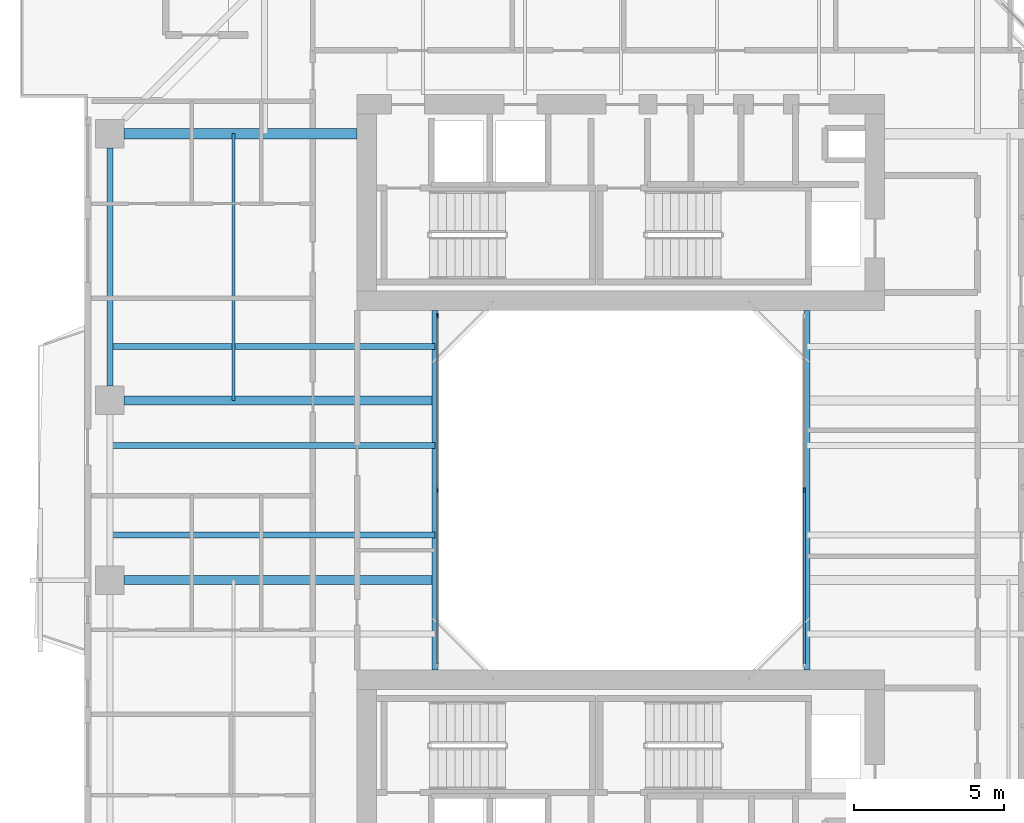
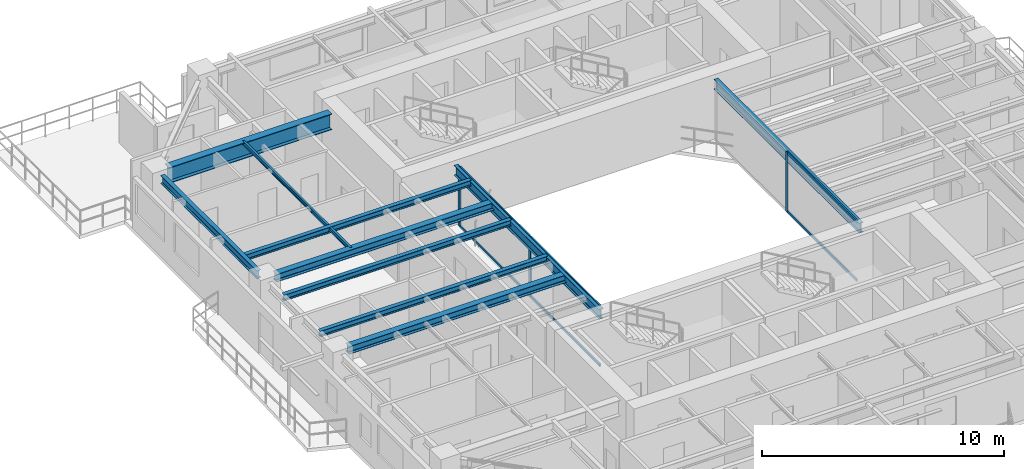
# One storey, part 5 of 18: 10 beams, 9 members, 2 elements without a shape of their own.
"""IFC4 building model written with IfcOpenShell, lengths in metres."""

from ifc_helpers import new_model, si_unit, direction, frame, origin, origin_2d, place, context, subcontext, project, spatial, rectangle, i_section, extrude, source, transform, mapped, material, layer, layer_set, material_profile, profile_set, type_object, element, aggregate, save


model = new_model("IFC4")

# Units and contexts
model_context = context("Model", 3, precision=1e-05, world=origin(), true_north=direction((0.0, 1.0)))
body_context = subcontext(model_context, "Body", "Model", "MODEL_VIEW")
ifc_project = project(units=[si_unit("LENGTHUNIT", "METRE"), si_unit("AREAUNIT", "SQUARE_METRE"), si_unit("VOLUMEUNIT", "CUBIC_METRE"), si_unit("PLANEANGLEUNIT", "RADIAN"), si_unit("MASSUNIT", "GRAM", prefix="KILO"), si_unit("THERMODYNAMICTEMPERATUREUNIT", "KELVIN"), si_unit("POWERUNIT", "WATT")], contexts=[model_context])

# Site, building, storey
site_placement = place(None, origin())
site = spatial("IfcSite", under=ifc_project, at=site_placement, CompositionType="ELEMENT")
building_placement = place(site_placement, origin())
building = spatial("IfcBuilding", under=site, at=building_placement, Name="Qiaomeng Ring Towers", CompositionType="ELEMENT")
storey_placement = place(building_placement, frame((0.0, 0.0, 182.75)))
storey = spatial("IfcBuildingStorey", under=building, at=storey_placement, Name="L53", CompositionType="ELEMENT", Elevation=182.75)

# Beams
ifc_material_1 = material(Name="Steel Q355B", Category="steel")
ifc_material_profile_1 = material_profile(ifc_material_1, i_section(OverallWidth=0.199951171875, OverallDepth=0.5, WebThickness=0.010009765625, FlangeThickness=0.01611328125, FilletRadius=0.02001953125, at=origin_2d()), Name="HN 500x200x10x16")
ifc_profile_set_1 = profile_set([ifc_material_profile_1], Name="Steel Q355B")
beam_type_1 = type_object("IfcBeamType", Name="STR-BM-HN500", PredefinedType="BEAM", material=ifc_profile_set_1)
shared_shape_1 = source(origin(), body_context, "Body", "SweptSolid", [
    extrude(i_section(OverallWidth=0.199951171875, OverallDepth=0.5, WebThickness=0.010009765625, FlangeThickness=0.01611328125, FilletRadius=0.02001953125, at=origin_2d()), origin(), (0.0, 0.0, 1.0), 12.0),
])
for number, where, z_axis, x_axis, name in (
    (1, (12.800048828125, 17.0, 2.780029296875), (0.0, 1.0, 0.0), (-1.0, 0.0, 0.0), "L53 beam STR-BM-L53-WELL-W"),
    (2, (25.199951171875, 17.0, 2.780029296875), (0.0, 1.0, 0.0), (-1.0, 0.0, 0.0), "L53 beam STR-BM-L53-WELL-E"),
):
    element("IfcBeam", number, at=place(storey_placement, frame(where, z_axis=z_axis, x_axis=x_axis)), inside=storey, type_object=beam_type_1, Name=name, PredefinedType="BEAM", context=body_context, shape_type="MappedRepresentation", body=[
        mapped(shared_shape_1, transform((0.0, 0.0, 0.0), x_axis=(1.0, 0.0, 0.0), y_axis=(0.0, 1.0, 0.0), z_axis=(0.0, 0.0, 1.0), scale=1.0)),
    ])
ifc_material_profile_2 = material_profile(ifc_material_1, i_section(OverallWidth=0.199951171875, OverallDepth=0.2939453125, WebThickness=0.008056640625, FlangeThickness=0.011962890625, FilletRadius=0.01806640625, at=origin_2d()), Name="HM 294x200x8x12")
ifc_profile_set_2 = profile_set([ifc_material_profile_2], Name="Steel Q355B")
beam_type_2 = type_object("IfcBeamType", Name="STR-BM-HM294", PredefinedType="JOIST", material=ifc_profile_set_2)
shared_shape_2 = source(origin(), body_context, "Body", "SweptSolid", [
    extrude(i_section(OverallWidth=0.199951171875, OverallDepth=0.2939453125, WebThickness=0.008056640625, FlangeThickness=0.011962890625, FilletRadius=0.01806640625, at=origin_2d()), origin(), (0.0, 0.0, 1.0), 10.85009765625),
])
for number, where, z_axis, x_axis, name in (
    (3, (1.949951171875, 21.5, 2.883056640625), (1.0, 0.0, 0.0), (0.0, 1.0, 0.0), "L53 beam STR-JST-L53-T1W-2"),
    (4, (1.949951171875, 24.5, 2.883056640625), (1.0, 0.0, 0.0), (0.0, 1.0, 0.0), "L53 beam STR-JST-L53-T1W-3"),
    (5, (1.949951171875, 27.800048828125, 2.883056640625), (1.0, 0.0, 0.0), (0.0, 1.0, 0.0), "L53 beam STR-JST-L53-T1W-4"),
):
    element("IfcBeam", number, at=place(storey_placement, frame(where, z_axis=z_axis, x_axis=x_axis)), inside=storey, type_object=beam_type_2, Name=name, PredefinedType="JOIST", context=body_context, shape_type="MappedRepresentation", body=[
        mapped(shared_shape_2, transform((0.0, 0.0, 0.0), x_axis=(1.0, 0.0, 0.0), y_axis=(0.0, 1.0, 0.0), z_axis=(0.0, 0.0, 1.0), scale=1.0)),
    ])
ifc_material_profile_3 = material_profile(ifc_material_1, i_section(OverallWidth=0.10009765625, OverallDepth=0.199951171875, WebThickness=0.005615234375, FlangeThickness=0.008056640625, FilletRadius=0.010986328125, at=origin_2d()), Name="HN 200x100x5.5x8")
ifc_profile_set_3 = profile_set([ifc_material_profile_3], Name="Steel Q355B")
beam_type_3 = type_object("IfcBeamType", Name="STR-BM-HN200", PredefinedType="JOIST", material=ifc_profile_set_3)
shared_shape_3 = source(origin(), body_context, "Body", "SweptSolid", [
    extrude(i_section(OverallWidth=0.10009765625, OverallDepth=0.199951171875, WebThickness=0.005615234375, FlangeThickness=0.008056640625, FilletRadius=0.010986328125, at=origin_2d()), origin(), (0.0, 0.0, 1.0), 8.89990234375),
])
beam_1_placement = place(storey_placement, frame((6.074951171875, 26.0, 2.929931640625), z_axis=(0.0, 1.0, 0.0), x_axis=(-1.0, 0.0, 0.0)))
element("IfcBeam", 6, at=beam_1_placement, inside=storey, type_object=beam_type_3, Name="L53 beam STR-JST-L53-T1C-WN", PredefinedType="JOIST", context=body_context, shape_type="MappedRepresentation", body=[
    mapped(shared_shape_3, transform((0.0, 0.0, 0.0), x_axis=(1.0, 0.0, 0.0), y_axis=(0.0, 1.0, 0.0), z_axis=(0.0, 0.0, 1.0), scale=1.0)),
])
ifc_material_profile_4 = material_profile(ifc_material_1, i_section(OverallWidth=0.199951171875, OverallDepth=0.39990234375, WebThickness=0.008056640625, FlangeThickness=0.012939453125, FilletRadius=0.01611328125, at=origin_2d()), Name="HN 400x200x8x13")
ifc_profile_set_4 = profile_set([ifc_material_profile_4], Name="Steel Q355B")
beam_type_4 = type_object("IfcBeamType", Name="STR-BM-HN400", PredefinedType="SPANDREL", material=ifc_profile_set_4)
shared_shape_4 = source(origin(), body_context, "Body", "SweptSolid", [
    extrude(i_section(OverallWidth=0.199951171875, OverallDepth=0.39990234375, WebThickness=0.008056640625, FlangeThickness=0.012939453125, FilletRadius=0.01611328125, at=origin_2d()), origin(), (0.0, 0.0, 1.0), 7.951904296875),
])
beam_2_placement = place(storey_placement, frame((1.949951171875, 34.426025390625, 2.830078125), z_axis=(0.0, -1.0, 0.0), x_axis=(1.0, 0.0, 0.0)))
element("IfcBeam", 7, at=beam_2_placement, inside=storey, type_object=beam_type_4, Name="L53 beam STR-SP-L53-T1-W4-W3", PredefinedType="SPANDREL", context=body_context, shape_type="MappedRepresentation", body=[
    mapped(shared_shape_4, transform((0.0, 0.0, 0.0), x_axis=(1.0, 0.0, 0.0), y_axis=(0.0, 1.0, 0.0), z_axis=(0.0, 0.0, 1.0), scale=1.0)),
])
ifc_material_2 = material(Name="Steel Q390GJC", Category="steel")
ifc_material_profile_5 = material_profile(ifc_material_2, i_section(OverallWidth=0.35009765625, OverallDepth=0.800048828125, WebThickness=0.01611328125, FlangeThickness=0.028076171875, at=origin_2d()), Name="WH 800x350x16x28")
ifc_profile_set_5 = profile_set([ifc_material_profile_5], Name="Steel Q390GJC")
beam_type_5 = type_object("IfcBeamType", Name="STR-BM-WH800", PredefinedType="BEAM", material=ifc_profile_set_5)
shared_shape_5 = source(origin(), body_context, "Body", "SweptSolid", [
    extrude(i_section(OverallWidth=0.35009765625, OverallDepth=0.800048828125, WebThickness=0.01611328125, FlangeThickness=0.028076171875, at=origin_2d()), origin(), (0.0, 0.0, 1.0), 7.77587890625),
])
beam_3_placement = place(storey_placement, frame((2.424072265625, 34.89990234375, 2.6298828125), z_axis=(1.0, 0.0, 0.0), x_axis=(0.0, 1.0, 0.0)))
element("IfcBeam", 8, at=beam_3_placement, inside=storey, type_object=beam_type_5, Name="L53 beam STR-BM-L53-T1-RAD-W4", PredefinedType="BEAM", context=body_context, shape_type="MappedRepresentation", body=[
    mapped(shared_shape_5, transform((0.0, 0.0, 0.0), x_axis=(1.0, 0.0, 0.0), y_axis=(0.0, 1.0, 0.0), z_axis=(0.0, 0.0, 1.0), scale=1.0)),
])
ifc_material_profile_6 = material_profile(ifc_material_1, i_section(OverallWidth=0.300048828125, OverallDepth=0.389892578125, WebThickness=0.010009765625, FlangeThickness=0.01611328125, FilletRadius=0.02197265625, at=origin_2d()), Name="HM 390x300x10x16")
ifc_profile_set_6 = profile_set([ifc_material_profile_6], Name="Steel Q355B")
beam_type_6 = type_object("IfcBeamType", Name="STR-BM-HM390", PredefinedType="BEAM", material=ifc_profile_set_6)
shared_shape_6 = source(origin(), body_context, "Body", "SweptSolid", [
    extrude(i_section(OverallWidth=0.300048828125, OverallDepth=0.389892578125, WebThickness=0.010009765625, FlangeThickness=0.01611328125, FilletRadius=0.02197265625, at=origin_2d()), origin(), (0.0, 0.0, 1.0), 10.3759765625),
])
for number, where, z_axis, x_axis, name in (
    (9, (2.424072265625, 20.0, 2.8349609375), (1.0, 0.0, 0.0), (0.0, 1.0, 0.0), "L53 beam STR-BM-L53-T1-RAD-W2"),
    (10, (2.424072265625, 26.0, 2.8349609375), (1.0, 0.0, 0.0), (0.0, 1.0, 0.0), "L53 beam STR-BM-L53-T1-RAD-W3"),
):
    element("IfcBeam", number, at=place(storey_placement, frame(where, z_axis=z_axis, x_axis=x_axis)), inside=storey, type_object=beam_type_6, Name=name, PredefinedType="BEAM", context=body_context, shape_type="MappedRepresentation", body=[
        mapped(shared_shape_6, transform((0.0, 0.0, 0.0), x_axis=(1.0, 0.0, 0.0), y_axis=(0.0, 1.0, 0.0), z_axis=(0.0, 0.0, 1.0), scale=1.0)),
    ])

# Curtain wall, members
ifc_material_3 = material(Name="Fluorocarbon dark-grey aluminium", Category="aluminium")
ifc_layer = layer(ifc_material_3, 0.139892578125, Name="Fluorocarbon dark-grey aluminium")
ifc_layer_set = layer_set([ifc_layer], Name="Fluorocarbon dark-grey aluminium")
curtain_wall_type = type_object("IfcCurtainWallType", Name="ARC-CW-4", PredefinedType="NOTDEFINED", material=ifc_layer_set)
curtain_wall_1_placement = place(storey_placement, origin())
curtain_wall_1 = element("IfcCurtainWall", 11, at=curtain_wall_1_placement, inside=storey, type_object=curtain_wall_type, Name="L53 Curtain Wall CW4", PredefinedType="NOTDEFINED")
ifc_material_profile_7 = material_profile(ifc_material_3, rectangle(XDim=0.06494140625, YDim=0.1298828125, at=origin_2d()), Name="ALU TRAN 65x130")
ifc_profile_set_7 = profile_set([ifc_material_profile_7], Name="Fluorocarbon dark-grey aluminium")
member_type_1 = type_object("IfcMemberType", Name="ARC-CWT-120", PredefinedType="USERDEFINED", material=ifc_profile_set_7)
shared_shape_7 = source(origin(), body_context, "Body", "SweptSolid", [
    extrude(rectangle(XDim=0.06494140625, YDim=0.1298828125, at=origin_2d()), origin(), (0.0, 0.0, 1.0), 5.75244140625),
])
member_1_placement = place(storey_placement, frame((12.8798828125, 17.215087890625, 0.032470703125), z_axis=(0.0, 1.0, 0.0), x_axis=(-1.0, 0.0, 0.0)))
member_1 = element("IfcMember", 12, at=member_1_placement, type_object=member_type_1, Name="CW4 transom 1.1", ObjectType="TRANSOM", PredefinedType="USERDEFINED", context=body_context, shape_type="MappedRepresentation", body=[
    mapped(shared_shape_7, transform((0.0, 0.0, 0.0), x_axis=(1.0, 0.0, 0.0), y_axis=(0.0, 1.0, 0.0), z_axis=(0.0, 0.0, 1.0), scale=1.0)),
])
member_2_placement = place(storey_placement, frame((12.8798828125, 17.215087890625, 2.99755859375), z_axis=(0.0, 1.0, 0.0), x_axis=(-1.0, 0.0, 0.0)))
member_2 = element("IfcMember", 13, at=member_2_placement, type_object=member_type_1, Name="CW4 transom 1.2", ObjectType="TRANSOM", PredefinedType="USERDEFINED", context=body_context, shape_type="MappedRepresentation", body=[
    mapped(shared_shape_7, transform((0.0, 0.0, 0.0), x_axis=(1.0, 0.0, 0.0), y_axis=(0.0, 1.0, 0.0), z_axis=(0.0, 0.0, 1.0), scale=1.0)),
])
member_3_placement = place(storey_placement, frame((12.8798828125, 23.032470703125, 0.032470703125), z_axis=(0.0, 1.0, 0.0), x_axis=(-1.0, 0.0, 0.0)))
member_3 = element("IfcMember", 14, at=member_3_placement, type_object=member_type_1, Name="CW4 transom 2.1", ObjectType="TRANSOM", PredefinedType="USERDEFINED", context=body_context, shape_type="MappedRepresentation", body=[
    mapped(shared_shape_7, transform((0.0, 0.0, 0.0), x_axis=(1.0, 0.0, 0.0), y_axis=(0.0, 1.0, 0.0), z_axis=(0.0, 0.0, 1.0), scale=1.0)),
])
member_4_placement = place(storey_placement, frame((12.8798828125, 23.032470703125, 2.99755859375), z_axis=(0.0, 1.0, 0.0), x_axis=(-1.0, 0.0, 0.0)))
member_4 = element("IfcMember", 15, at=member_4_placement, type_object=member_type_1, Name="CW4 transom 2.2", ObjectType="TRANSOM", PredefinedType="USERDEFINED", context=body_context, shape_type="MappedRepresentation", body=[
    mapped(shared_shape_7, transform((0.0, 0.0, 0.0), x_axis=(1.0, 0.0, 0.0), y_axis=(0.0, 1.0, 0.0), z_axis=(0.0, 0.0, 1.0), scale=1.0)),
])

curtain_wall_2_placement = place(storey_placement, origin())
curtain_wall_2 = element("IfcCurtainWall", 16, at=curtain_wall_2_placement, inside=storey, type_object=curtain_wall_type, Name="L53 Curtain Wall CW4", PredefinedType="NOTDEFINED")
member_5_placement = place(storey_placement, frame((25.1201171875, 17.215087890625, 0.032470703125), z_axis=(0.0, 1.0, 0.0), x_axis=(-1.0, 0.0, 0.0)))
member_5 = element("IfcMember", 17, at=member_5_placement, type_object=member_type_1, Name="CW4 transom 1.1", ObjectType="TRANSOM", PredefinedType="USERDEFINED", context=body_context, shape_type="MappedRepresentation", body=[
    mapped(shared_shape_7, transform((0.0, 0.0, 0.0), x_axis=(1.0, 0.0, 0.0), y_axis=(0.0, 1.0, 0.0), z_axis=(0.0, 0.0, 1.0), scale=1.0)),
])
member_6_placement = place(storey_placement, frame((25.1201171875, 17.215087890625, 2.99755859375), z_axis=(0.0, 1.0, 0.0), x_axis=(-1.0, 0.0, 0.0)))
member_6 = element("IfcMember", 18, at=member_6_placement, type_object=member_type_1, Name="CW4 transom 1.2", ObjectType="TRANSOM", PredefinedType="USERDEFINED", context=body_context, shape_type="MappedRepresentation", body=[
    mapped(shared_shape_7, transform((0.0, 0.0, 0.0), x_axis=(1.0, 0.0, 0.0), y_axis=(0.0, 1.0, 0.0), z_axis=(0.0, 0.0, 1.0), scale=1.0)),
])

# Member
ifc_material_profile_8 = material_profile(ifc_material_3, rectangle(XDim=0.06494140625, YDim=0.159912109375, at=origin_2d()), Name="ALU MULL 65x160")
ifc_profile_set_8 = profile_set([ifc_material_profile_8], Name="Fluorocarbon dark-grey aluminium")
member_type_2 = type_object("IfcMemberType", Name="ARC-CWM-140", PredefinedType="MULLION", material=ifc_profile_set_8)
shared_shape_8 = source(origin(), body_context, "Body", "SweptSolid", [
    extrude(rectangle(XDim=0.06494140625, YDim=0.159912109375, at=origin_2d()), origin(), (0.0, 0.0, 1.0), 3.030029296875),
])
member_7_placement = place(storey_placement, frame((12.8798828125, 23.0, 0.0), z_axis=(0.0, 0.0, 1.0), x_axis=(-1.0, 0.0, 0.0)))
member_7 = element("IfcMember", 19, at=member_7_placement, type_object=member_type_2, Name="CW4 mullion 2", PredefinedType="MULLION", context=body_context, shape_type="MappedRepresentation", body=[
    mapped(shared_shape_8, transform((0.0, 0.0, 0.0), x_axis=(1.0, 0.0, 0.0), y_axis=(0.0, 1.0, 0.0), z_axis=(0.0, 0.0, 1.0), scale=1.0)),
])

member_8_placement = place(storey_placement, frame((12.8798828125, 28.8173828125, 0.0), z_axis=(0.0, 0.0, 1.0), x_axis=(-1.0, 0.0, 0.0)))
member_8 = element("IfcMember", 20, at=member_8_placement, type_object=member_type_2, Name="CW4 mullion 3", PredefinedType="MULLION", context=body_context, shape_type="MappedRepresentation", body=[
    mapped(shared_shape_8, transform((0.0, 0.0, 0.0), x_axis=(1.0, 0.0, 0.0), y_axis=(0.0, 1.0, 0.0), z_axis=(0.0, 0.0, 1.0), scale=1.0)),
])

aggregate(curtain_wall_1, [member_7, member_8, member_1, member_2, member_3, member_4])

member_9_placement = place(storey_placement, frame((25.1201171875, 23.0, 0.0), z_axis=(0.0, 0.0, 1.0), x_axis=(-1.0, 0.0, 0.0)))
member_9 = element("IfcMember", 21, at=member_9_placement, type_object=member_type_2, Name="CW4 mullion 2", PredefinedType="MULLION", context=body_context, shape_type="MappedRepresentation", body=[
    mapped(shared_shape_8, transform((0.0, 0.0, 0.0), x_axis=(1.0, 0.0, 0.0), y_axis=(0.0, 1.0, 0.0), z_axis=(0.0, 0.0, 1.0), scale=1.0)),
])

aggregate(curtain_wall_2, [member_9, member_5, member_6])

save(model, "model.ifc")
